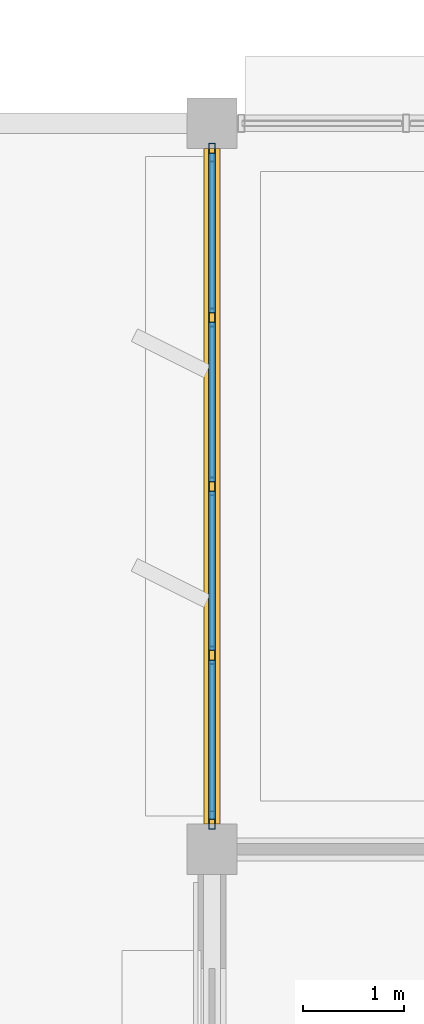
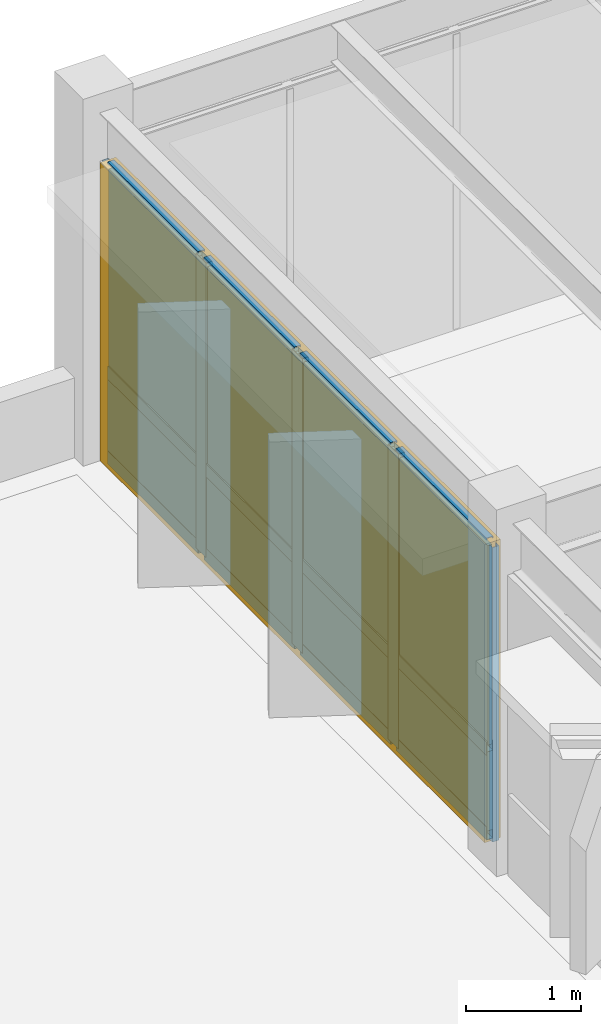
# One storey, part 11 of 23: 17 members, 8 plates, 1 curtain wall.
"""IFC4 building model written with IfcOpenShell, lengths in metres."""

from ifc_helpers import new_model, si_unit, direction, frame, origin, origin_2d, place, context, subcontext, project, spatial, rectangle, hollow_rectangle, extrude, material, layer, layer_set, material_profile, profile_set, type_object, element, aggregate, save


model = new_model("IFC4")

# Units and contexts
model_context = context("Model", 3, precision=1e-05, world=origin(), true_north=direction((0.0, 1.0)))
body_context = subcontext(model_context, "Body", "Model", "MODEL_VIEW")
ifc_project = project(units=[si_unit("LENGTHUNIT", "METRE"), si_unit("AREAUNIT", "SQUARE_METRE"), si_unit("VOLUMEUNIT", "CUBIC_METRE"), si_unit("PLANEANGLEUNIT", "RADIAN"), si_unit("MASSUNIT", "GRAM", prefix="KILO")], contexts=[model_context])

# Member
ifc_material_1 = material(Name="Anodized Aluminium 6063-T6", Category="aluminium")
ifc_material_profile_1 = material_profile(ifc_material_1, hollow_rectangle(XDim=0.06494140625, YDim=0.179931640625, WallThickness=0.00390625, at=origin_2d()), Name="ALU 65x180x4")
ifc_profile_set_1 = profile_set([ifc_material_profile_1], Name="Anodized Aluminium 6063-T6")
member_type_1 = type_object("IfcMemberType", Name="CWM-65X150", PredefinedType="MULLION", material=ifc_profile_set_1)
site_placement = place(None, origin())
building_placement = place(site_placement, origin())
storey_placement = place(building_placement, frame((0.0, 0.0, 21.89990234375)))
member_1_placement = place(storey_placement, frame((50.39990234375, 108.2900390625, 0.02001953125), z_axis=(0.0, 0.0, 1.0), x_axis=(1.0, 0.0, 0.0)))
member_1 = element("IfcMember", 1, at=member_1_placement, type_object=member_type_1, Name="Curtain wall mullion CW-L06-07-15-W-00", PredefinedType="MULLION", context=body_context, shape_type="SweptSolid", body=[
    extrude(hollow_rectangle(XDim=0.06494140625, YDim=0.179931640625, WallThickness=0.00390625, at=origin_2d()), origin(), (0.0, 0.0, 1.0), 3.132080078125),
])

member_2_placement = place(storey_placement, frame((50.39990234375, 109.925048828125, 0.02001953125), z_axis=(0.0, 0.0, 1.0), x_axis=(1.0, 0.0, 0.0)))
member_2 = element("IfcMember", 2, at=member_2_placement, type_object=member_type_1, Name="Curtain wall mullion CW-L06-07-15-W-01", PredefinedType="MULLION", context=body_context, shape_type="SweptSolid", body=[
    extrude(hollow_rectangle(XDim=0.06494140625, YDim=0.179931640625, WallThickness=0.00390625, at=origin_2d()), origin(), (0.0, 0.0, 1.0), 3.132080078125),
])

member_3_placement = place(storey_placement, frame((50.39990234375, 111.60009765625, 0.02001953125), z_axis=(0.0, 0.0, 1.0), x_axis=(1.0, 0.0, 0.0)))
member_3 = element("IfcMember", 3, at=member_3_placement, type_object=member_type_1, Name="Curtain wall mullion CW-L06-07-15-W-02", PredefinedType="MULLION", context=body_context, shape_type="SweptSolid", body=[
    extrude(hollow_rectangle(XDim=0.06494140625, YDim=0.179931640625, WallThickness=0.00390625, at=origin_2d()), origin(), (0.0, 0.0, 1.0), 3.132080078125),
])

member_4_placement = place(storey_placement, frame((50.39990234375, 113.27490234375, 0.02001953125), z_axis=(0.0, 0.0, 1.0), x_axis=(1.0, 0.0, 0.0)))
member_4 = element("IfcMember", 4, at=member_4_placement, type_object=member_type_1, Name="Curtain wall mullion CW-L06-07-15-W-03", PredefinedType="MULLION", context=body_context, shape_type="SweptSolid", body=[
    extrude(hollow_rectangle(XDim=0.06494140625, YDim=0.179931640625, WallThickness=0.00390625, at=origin_2d()), origin(), (0.0, 0.0, 1.0), 3.132080078125),
])

member_5_placement = place(storey_placement, frame((50.39990234375, 114.909912109375, 0.02001953125), z_axis=(0.0, 0.0, 1.0), x_axis=(1.0, 0.0, 0.0)))
member_5 = element("IfcMember", 5, at=member_5_placement, type_object=member_type_1, Name="Curtain wall mullion CW-L06-07-15-W-04", PredefinedType="MULLION", context=body_context, shape_type="SweptSolid", body=[
    extrude(hollow_rectangle(XDim=0.06494140625, YDim=0.179931640625, WallThickness=0.00390625, at=origin_2d()), origin(), (0.0, 0.0, 1.0), 3.132080078125),
])

ifc_material_profile_2 = material_profile(ifc_material_1, hollow_rectangle(XDim=0.06494140625, YDim=0.139892578125, WallThickness=0.00390625, at=origin_2d()), Name="ALU 65x140x4")
ifc_profile_set_2 = profile_set([ifc_material_profile_2], Name="Anodized Aluminium 6063-T6")
member_type_2 = type_object("IfcMemberType", Name="CWT-65X120", PredefinedType="USERDEFINED", material=ifc_profile_set_2)
member_6_placement = place(storey_placement, frame((50.39990234375, 108.300048828125, 0.050048828125), z_axis=(0.0, 1.0, 0.0), x_axis=(-1.0, 0.0, 0.0)))
member_6 = element("IfcMember", 6, at=member_6_placement, type_object=member_type_2, Name="Curtain wall transom CW-L06-07-15-W-1.01", ObjectType="TRANSOM", PredefinedType="USERDEFINED", context=body_context, shape_type="SweptSolid", body=[
    extrude(hollow_rectangle(XDim=0.06494140625, YDim=0.139892578125, WallThickness=0.00390625, at=origin_2d()), origin(), (0.0, 0.0, 1.0), 1.574951171875),
])

member_7_placement = place(storey_placement, frame((50.39990234375, 109.97509765625, 0.050048828125), z_axis=(0.0, 1.0, 0.0), x_axis=(-1.0, 0.0, 0.0)))
member_7 = element("IfcMember", 7, at=member_7_placement, type_object=member_type_2, Name="Curtain wall transom CW-L06-07-15-W-1.02", ObjectType="TRANSOM", PredefinedType="USERDEFINED", context=body_context, shape_type="SweptSolid", body=[
    extrude(hollow_rectangle(XDim=0.06494140625, YDim=0.139892578125, WallThickness=0.00390625, at=origin_2d()), origin(), (0.0, 0.0, 1.0), 1.574951171875),
])

member_8_placement = place(storey_placement, frame((50.39990234375, 111.64990234375, 0.050048828125), z_axis=(0.0, 1.0, 0.0), x_axis=(-1.0, 0.0, 0.0)))
member_8 = element("IfcMember", 8, at=member_8_placement, type_object=member_type_2, Name="Curtain wall transom CW-L06-07-15-W-1.03", ObjectType="TRANSOM", PredefinedType="USERDEFINED", context=body_context, shape_type="SweptSolid", body=[
    extrude(hollow_rectangle(XDim=0.06494140625, YDim=0.139892578125, WallThickness=0.00390625, at=origin_2d()), origin(), (0.0, 0.0, 1.0), 1.5751953125),
])

member_9_placement = place(storey_placement, frame((50.39990234375, 113.324951171875, 0.050048828125), z_axis=(0.0, 1.0, 0.0), x_axis=(-1.0, 0.0, 0.0)))
member_9 = element("IfcMember", 9, at=member_9_placement, type_object=member_type_2, Name="Curtain wall transom CW-L06-07-15-W-1.04", ObjectType="TRANSOM", PredefinedType="USERDEFINED", context=body_context, shape_type="SweptSolid", body=[
    extrude(hollow_rectangle(XDim=0.06494140625, YDim=0.139892578125, WallThickness=0.00390625, at=origin_2d()), origin(), (0.0, 0.0, 1.0), 1.574951171875),
])

member_10_placement = place(storey_placement, frame((50.39990234375, 108.300048828125, 0.9501953125), z_axis=(0.0, 1.0, 0.0), x_axis=(-1.0, 0.0, 0.0)))
member_10 = element("IfcMember", 10, at=member_10_placement, type_object=member_type_2, Name="Curtain wall transom CW-L06-07-15-W-2.01", ObjectType="TRANSOM", PredefinedType="USERDEFINED", context=body_context, shape_type="SweptSolid", body=[
    extrude(hollow_rectangle(XDim=0.06494140625, YDim=0.139892578125, WallThickness=0.00390625, at=origin_2d()), origin(), (0.0, 0.0, 1.0), 1.574951171875),
])

member_11_placement = place(storey_placement, frame((50.39990234375, 109.97509765625, 0.9501953125), z_axis=(0.0, 1.0, 0.0), x_axis=(-1.0, 0.0, 0.0)))
member_11 = element("IfcMember", 11, at=member_11_placement, type_object=member_type_2, Name="Curtain wall transom CW-L06-07-15-W-2.02", ObjectType="TRANSOM", PredefinedType="USERDEFINED", context=body_context, shape_type="SweptSolid", body=[
    extrude(hollow_rectangle(XDim=0.06494140625, YDim=0.139892578125, WallThickness=0.00390625, at=origin_2d()), origin(), (0.0, 0.0, 1.0), 1.574951171875),
])

member_12_placement = place(storey_placement, frame((50.39990234375, 111.64990234375, 0.9501953125), z_axis=(0.0, 1.0, 0.0), x_axis=(-1.0, 0.0, 0.0)))
member_12 = element("IfcMember", 12, at=member_12_placement, type_object=member_type_2, Name="Curtain wall transom CW-L06-07-15-W-2.03", ObjectType="TRANSOM", PredefinedType="USERDEFINED", context=body_context, shape_type="SweptSolid", body=[
    extrude(hollow_rectangle(XDim=0.06494140625, YDim=0.139892578125, WallThickness=0.00390625, at=origin_2d()), origin(), (0.0, 0.0, 1.0), 1.5751953125),
])

member_13_placement = place(storey_placement, frame((50.39990234375, 113.324951171875, 0.9501953125), z_axis=(0.0, 1.0, 0.0), x_axis=(-1.0, 0.0, 0.0)))
member_13 = element("IfcMember", 13, at=member_13_placement, type_object=member_type_2, Name="Curtain wall transom CW-L06-07-15-W-2.04", ObjectType="TRANSOM", PredefinedType="USERDEFINED", context=body_context, shape_type="SweptSolid", body=[
    extrude(hollow_rectangle(XDim=0.06494140625, YDim=0.139892578125, WallThickness=0.00390625, at=origin_2d()), origin(), (0.0, 0.0, 1.0), 1.574951171875),
])

member_14_placement = place(storey_placement, frame((50.39990234375, 108.300048828125, 3.1220703125), z_axis=(0.0, 1.0, 0.0), x_axis=(-1.0, 0.0, 0.0)))
member_14 = element("IfcMember", 14, at=member_14_placement, type_object=member_type_2, Name="Curtain wall transom CW-L06-07-15-W-3.01", ObjectType="TRANSOM", PredefinedType="USERDEFINED", context=body_context, shape_type="SweptSolid", body=[
    extrude(hollow_rectangle(XDim=0.06494140625, YDim=0.139892578125, WallThickness=0.00390625, at=origin_2d()), origin(), (0.0, 0.0, 1.0), 1.574951171875),
])

member_15_placement = place(storey_placement, frame((50.39990234375, 109.97509765625, 3.1220703125), z_axis=(0.0, 1.0, 0.0), x_axis=(-1.0, 0.0, 0.0)))
member_15 = element("IfcMember", 15, at=member_15_placement, type_object=member_type_2, Name="Curtain wall transom CW-L06-07-15-W-3.02", ObjectType="TRANSOM", PredefinedType="USERDEFINED", context=body_context, shape_type="SweptSolid", body=[
    extrude(hollow_rectangle(XDim=0.06494140625, YDim=0.139892578125, WallThickness=0.00390625, at=origin_2d()), origin(), (0.0, 0.0, 1.0), 1.574951171875),
])

member_16_placement = place(storey_placement, frame((50.39990234375, 111.64990234375, 3.1220703125), z_axis=(0.0, 1.0, 0.0), x_axis=(-1.0, 0.0, 0.0)))
member_16 = element("IfcMember", 16, at=member_16_placement, type_object=member_type_2, Name="Curtain wall transom CW-L06-07-15-W-3.03", ObjectType="TRANSOM", PredefinedType="USERDEFINED", context=body_context, shape_type="SweptSolid", body=[
    extrude(hollow_rectangle(XDim=0.06494140625, YDim=0.139892578125, WallThickness=0.00390625, at=origin_2d()), origin(), (0.0, 0.0, 1.0), 1.5751953125),
])

member_17_placement = place(storey_placement, frame((50.39990234375, 113.324951171875, 3.1220703125), z_axis=(0.0, 1.0, 0.0), x_axis=(-1.0, 0.0, 0.0)))
member_17 = element("IfcMember", 17, at=member_17_placement, type_object=member_type_2, Name="Curtain wall transom CW-L06-07-15-W-3.04", ObjectType="TRANSOM", PredefinedType="USERDEFINED", context=body_context, shape_type="SweptSolid", body=[
    extrude(hollow_rectangle(XDim=0.06494140625, YDim=0.139892578125, WallThickness=0.00390625, at=origin_2d()), origin(), (0.0, 0.0, 1.0), 1.574951171875),
])

# Plate
ifc_material_2 = material(Name="Double Low-E Insulated Glazing Unit", Category="glass")
ifc_layer_1 = layer(ifc_material_2, 0.0380859375)
ifc_layer_set_1 = layer_set([ifc_layer_1], Name="Double Low-E Insulated Glazing Unit")
plate_type_1 = type_object("IfcPlateType", Name="CWP-IGU-38", PredefinedType="CURTAIN_PANEL", material=ifc_layer_set_1)
plate_1_placement = place(storey_placement, frame((50.39990234375, 109.08740234375, 0.989990234375), z_axis=(0.0, 0.0, 1.0), x_axis=(0.0, 1.0, 0.0)))
plate_1 = element("IfcPlate", 18, at=plate_1_placement, type_object=plate_type_1, Name="Curtain wall vision glazing CW-L06-07-15-W-01", PredefinedType="CURTAIN_PANEL", context=body_context, shape_type="SweptSolid", body=[
    extrude(rectangle(XDim=1.5849609375, YDim=0.0400390625, at=origin_2d()), origin(), (0.0, 0.0, 1.0), 2.1220703125),
])

plate_2_placement = place(storey_placement, frame((50.39990234375, 110.762451171875, 0.989990234375), z_axis=(0.0, 0.0, 1.0), x_axis=(0.0, 1.0, 0.0)))
plate_2 = element("IfcPlate", 19, at=plate_2_placement, type_object=plate_type_1, Name="Curtain wall vision glazing CW-L06-07-15-W-02", PredefinedType="CURTAIN_PANEL", context=body_context, shape_type="SweptSolid", body=[
    extrude(rectangle(XDim=1.5849609375, YDim=0.0400390625, at=origin_2d()), origin(), (0.0, 0.0, 1.0), 2.1220703125),
])

plate_3_placement = place(storey_placement, frame((50.39990234375, 112.4375, 0.989990234375), z_axis=(0.0, 0.0, 1.0), x_axis=(0.0, 1.0, 0.0)))
plate_3 = element("IfcPlate", 20, at=plate_3_placement, type_object=plate_type_1, Name="Curtain wall vision glazing CW-L06-07-15-W-03", PredefinedType="CURTAIN_PANEL", context=body_context, shape_type="SweptSolid", body=[
    extrude(rectangle(XDim=1.5849609375, YDim=0.0400390625, at=origin_2d()), origin(), (0.0, 0.0, 1.0), 2.1220703125),
])

plate_4_placement = place(storey_placement, frame((50.39990234375, 114.112548828125, 0.989990234375), z_axis=(0.0, 0.0, 1.0), x_axis=(0.0, 1.0, 0.0)))
plate_4 = element("IfcPlate", 21, at=plate_4_placement, type_object=plate_type_1, Name="Curtain wall vision glazing CW-L06-07-15-W-04", PredefinedType="CURTAIN_PANEL", context=body_context, shape_type="SweptSolid", body=[
    extrude(rectangle(XDim=1.5849609375, YDim=0.0400390625, at=origin_2d()), origin(), (0.0, 0.0, 1.0), 2.1220703125),
])

ifc_material_3 = material(Name="Insulated Bronze Aluminium Spandrel", Category="aluminium")
ifc_layer_2 = layer(ifc_material_3, 0.06005859375)
ifc_layer_set_2 = layer_set([ifc_layer_2], Name="Insulated Bronze Aluminium Spandrel")
plate_type_2 = type_object("IfcPlateType", Name="CWP-SPN-60", PredefinedType="CURTAIN_PANEL", material=ifc_layer_set_2)
plate_5_placement = place(storey_placement, frame((50.39990234375, 109.08740234375, 0.080078125), z_axis=(0.0, 0.0, 1.0), x_axis=(0.0, 1.0, 0.0)))
plate_5 = element("IfcPlate", 22, at=plate_5_placement, type_object=plate_type_2, Name="Curtain wall spandrel panel CW-L06-07-15-W-01", PredefinedType="CURTAIN_PANEL", context=body_context, shape_type="SweptSolid", body=[
    extrude(rectangle(XDim=1.5849609375, YDim=0.06005859375, at=origin_2d()), origin(), (0.0, 0.0, 1.0), 0.840087890625),
])

plate_6_placement = place(storey_placement, frame((50.39990234375, 110.762451171875, 0.080078125), z_axis=(0.0, 0.0, 1.0), x_axis=(0.0, 1.0, 0.0)))
plate_6 = element("IfcPlate", 23, at=plate_6_placement, type_object=plate_type_2, Name="Curtain wall spandrel panel CW-L06-07-15-W-02", PredefinedType="CURTAIN_PANEL", context=body_context, shape_type="SweptSolid", body=[
    extrude(rectangle(XDim=1.5849609375, YDim=0.06005859375, at=origin_2d()), origin(), (0.0, 0.0, 1.0), 0.840087890625),
])

plate_7_placement = place(storey_placement, frame((50.39990234375, 112.4375, 0.080078125), z_axis=(0.0, 0.0, 1.0), x_axis=(0.0, 1.0, 0.0)))
plate_7 = element("IfcPlate", 24, at=plate_7_placement, type_object=plate_type_2, Name="Curtain wall spandrel panel CW-L06-07-15-W-03", PredefinedType="CURTAIN_PANEL", context=body_context, shape_type="SweptSolid", body=[
    extrude(rectangle(XDim=1.5849609375, YDim=0.06005859375, at=origin_2d()), origin(), (0.0, 0.0, 1.0), 0.840087890625),
])

plate_8_placement = place(storey_placement, frame((50.39990234375, 114.112548828125, 0.080078125), z_axis=(0.0, 0.0, 1.0), x_axis=(0.0, 1.0, 0.0)))
plate_8 = element("IfcPlate", 25, at=plate_8_placement, type_object=plate_type_2, Name="Curtain wall spandrel panel CW-L06-07-15-W-04", PredefinedType="CURTAIN_PANEL", context=body_context, shape_type="SweptSolid", body=[
    extrude(rectangle(XDim=1.5849609375, YDim=0.06005859375, at=origin_2d()), origin(), (0.0, 0.0, 1.0), 0.840087890625),
])

# Site, building, storey
site = spatial("IfcSite", under=ifc_project, at=site_placement, CompositionType="ELEMENT")
building = spatial("IfcBuilding", under=site, at=building_placement, Name="Sillqori Civic Hall", CompositionType="ELEMENT")
storey = spatial("IfcBuildingStorey", under=building, at=storey_placement, Name="L06", CompositionType="ELEMENT", Elevation=21.89990234375)

# Curtain wall
ifc_material_4 = material(Name="Anodized Aluminium Curtain Wall System", Category="aluminium")
curtain_wall_type = type_object("IfcCurtainWallType", Name="CW-EX-375", PredefinedType="NOTDEFINED", material=ifc_material_4)
curtain_wall_placement = place(storey_placement, frame((50.39990234375, 111.60009765625, 0.0), z_axis=(0.0, 0.0, 1.0), x_axis=(0.0, 1.0, 0.0)))
curtain_wall = element("IfcCurtainWall", 26, at=curtain_wall_placement, inside=storey, type_object=curtain_wall_type, Name="L06 unitised curtain wall CW-L06-07-15-W", PredefinedType="NOTDEFINED", context=body_context, shape_type="SweptSolid", body=[
    extrude(rectangle(XDim=6.699951171875, YDim=0.159912109375, at=origin_2d()), origin(), (0.0, 0.0, 1.0), 3.172119140625),
])

aggregate(curtain_wall, [member_1, member_2, member_3, member_4, member_5, member_6, member_7, member_8, member_9, member_10, member_11, member_12, member_13, member_14, member_15, member_16, member_17, plate_5, plate_1, plate_6, plate_2, plate_7, plate_3, plate_8, plate_4])

save(model, "model.ifc")
